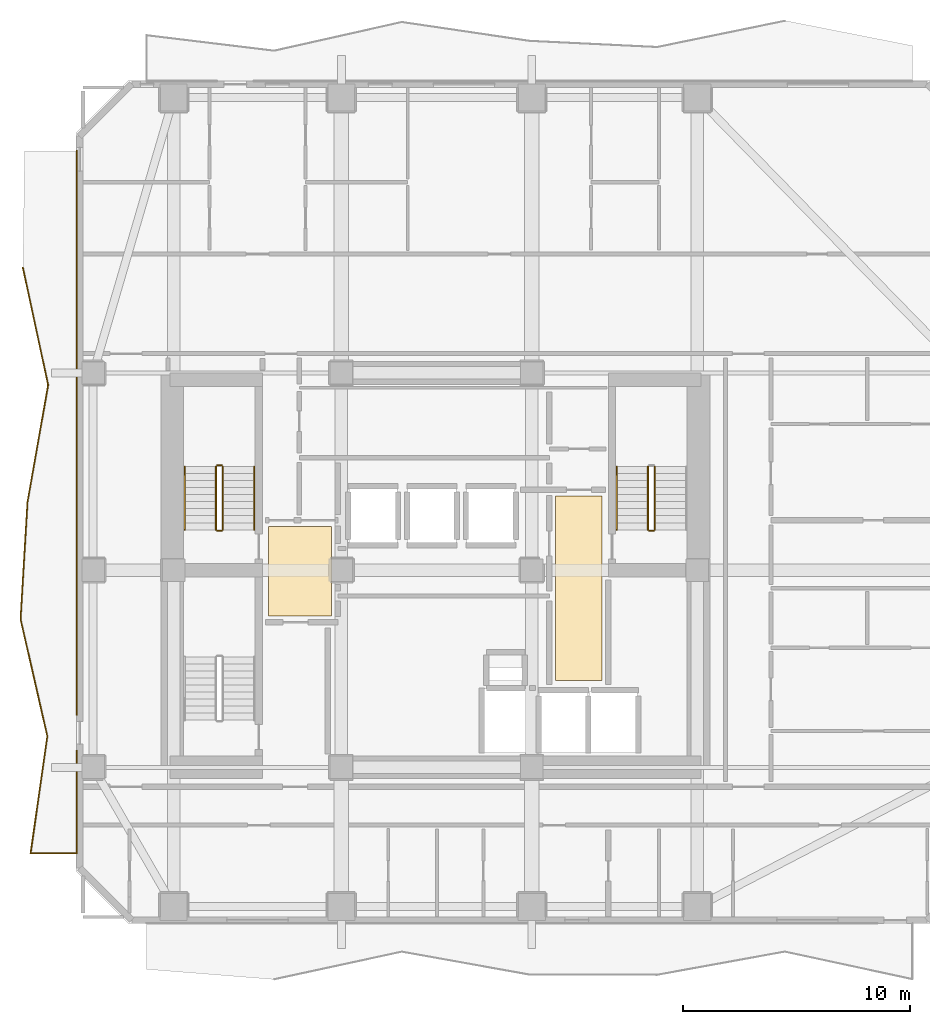
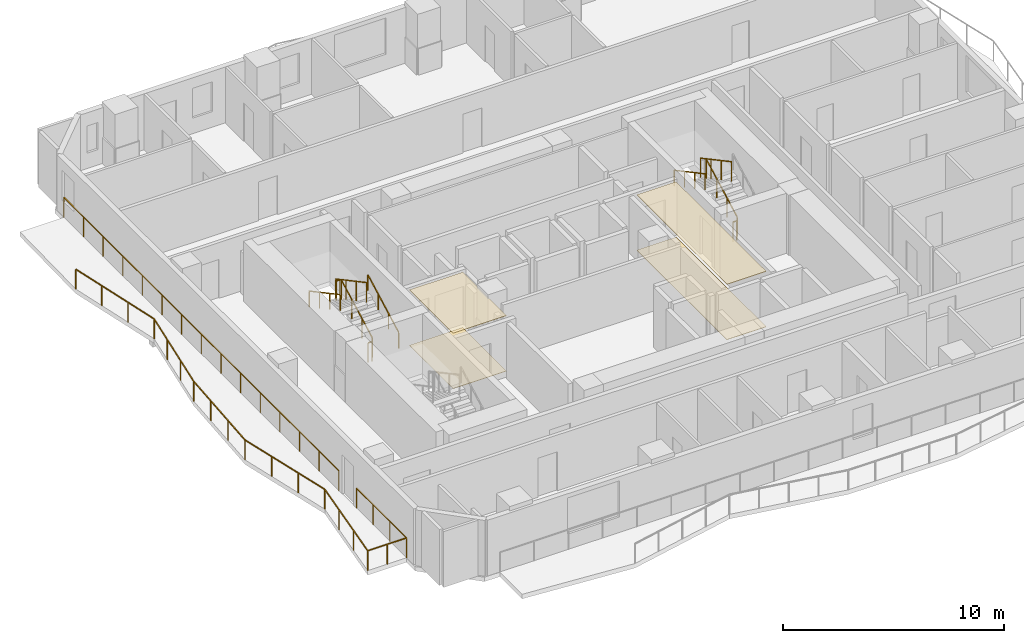
# One storey, part 9 of 11: 12 railings, 4 coverings.
"""IFC4 building model written with IfcOpenShell, lengths in metres."""

from ifc_helpers import new_model, si_unit, direction, frame, origin, origin_2d, place, context, subcontext, project, spatial, polyline, rectangle, outline, extrude, material, layer, layer_set, type_object, element, save


model = new_model("IFC4")

# Units and contexts
model_context = context("Model", 3, precision=1e-05, world=origin(), true_north=direction((0.0, 1.0)))
body_context = subcontext(model_context, "Body", "Model", "MODEL_VIEW")
ifc_project = project(units=[si_unit("LENGTHUNIT", "METRE"), si_unit("AREAUNIT", "SQUARE_METRE"), si_unit("VOLUMEUNIT", "CUBIC_METRE"), si_unit("PLANEANGLEUNIT", "RADIAN"), si_unit("MASSUNIT", "GRAM", prefix="KILO")], contexts=[model_context])

# Site, building, storey
site_placement = place(None, origin())
site = spatial("IfcSite", under=ifc_project, at=site_placement, CompositionType="ELEMENT")
building_placement = place(site_placement, origin())
building = spatial("IfcBuilding", under=site, at=building_placement, Name="Solanera Arch Residences", CompositionType="ELEMENT")
storey_placement = place(building_placement, frame((0.0, 0.0, 149.239990234375)))
storey = spatial("IfcBuildingStorey", under=building, at=storey_placement, Name="L43", CompositionType="ELEMENT", Elevation=149.239990234375)

# Railings
ifc_material_1 = material(Name="Steel S355 (ASTM A992 / A572 Grade 50)", Category="steel")
railing_type_1 = type_object("IfcRailingType", Name="Balustrade Railing BL-1100", PredefinedType="BALUSTRADE", material=ifc_material_1)
railing_1_placement = place(storey_placement, frame((6.75, 44.032958984375, 0.0)))
element("IfcRailing", 1, at=railing_1_placement, inside=storey, type_object=railing_type_1, Name="L43 W Balcony Balustrade 1", PredefinedType="BALUSTRADE", context=body_context, shape_type="SweptSolid", body=[
    extrude(rectangle(XDim=0.048095703125, YDim=0.048095703125, at=origin_2d()), frame((0.0, 0.0, 1.09619140625), z_axis=(0.210267366745, -0.977643920087, 0.0), x_axis=(0.977643920087, 0.210267366745, 0.0)), (0.0, 0.0, 1.0), 5.2841796875),
    extrude(rectangle(XDim=0.048095703125, YDim=0.048095703125, at=origin_2d()), frame((1.111083984375, -5.166015625, 1.09619140625), z_axis=(-0.173838422291, -0.984774188804, 0.0), x_axis=(0.984774188804, -0.173838422291, 0.0)), (0.0, 0.0, 1.0), 5.246826171875),
    extrude(rectangle(XDim=0.048095703125, YDim=0.048095703125, at=origin_2d()), frame((0.198974609375, -10.3330078125, 1.09619140625), z_axis=(-0.058724787001, -0.998274210521, 0.0), x_axis=(0.998274210521, -0.058724787001, 0.0)), (0.0, 0.0, 1.0), 5.176025390625),
    extrude(rectangle(XDim=0.048095703125, YDim=0.048095703125, at=origin_2d()), frame((-0.10498046875, -15.5, 1.09619140625), z_axis=(0.222843565676, -0.974854217428, 0.0), x_axis=(0.974854217428, 0.222843565676, 0.0)), (0.0, 0.0, 1.0), 5.29931640625),
    extrude(rectangle(XDim=0.048095703125, YDim=0.048095703125, at=origin_2d()), frame((1.075927734375, -20.666015625, 1.09619140625), z_axis=(-0.141768401833, -0.989899853643, 0.0), x_axis=(0.989899853643, -0.141768401833, 0.0)), (0.0, 0.0, 1.0), 5.2197265625),
    extrude(rectangle(XDim=0.048095703125, YDim=0.048095703125, at=origin_2d()), frame((0.3359375, -25.8330078125, 1.09619140625), z_axis=(1.0, 0.0, 0.0), x_axis=(0.0, 1.0, 0.0)), (0.0, 0.0, 1.0), 2.0341796875),
    extrude(rectangle(XDim=0.048095703125, YDim=0.048095703125, at=origin_2d()), frame((2.3701171875, -25.8330078125, 1.09619140625), z_axis=(0.0, 1.0, 0.0), x_axis=(-1.0, 0.0, 0.0)), (0.0, 0.0, 1.0), 4.52197265625),
    extrude(rectangle(XDim=0.0419921875, YDim=0.0419921875, at=origin_2d()), origin(), (0.0, 0.0, 1.0), 1.072021484375),
    extrude(rectangle(XDim=0.0419921875, YDim=0.0419921875, at=origin_2d()), frame((0.370361328125, -1.721923828125, 0.0)), (0.0, 0.0, 1.0), 1.072021484375),
    extrude(rectangle(XDim=0.0419921875, YDim=0.0419921875, at=origin_2d()), frame((0.74072265625, -3.444091796875, 0.0)), (0.0, 0.0, 1.0), 1.072021484375),
    extrude(rectangle(XDim=0.0419921875, YDim=0.0419921875, at=origin_2d()), frame((1.111083984375, -5.166015625, 0.0)), (0.0, 0.0, 1.0), 1.072021484375),
    extrude(rectangle(XDim=0.0419921875, YDim=0.0419921875, at=origin_2d()), frame((0.80712890625, -6.888427734375, 0.0)), (0.0, 0.0, 1.0), 1.072021484375),
    extrude(rectangle(XDim=0.0419921875, YDim=0.0419921875, at=origin_2d()), frame((0.5029296875, -8.610595703125, 0.0)), (0.0, 0.0, 1.0), 1.072021484375),
    extrude(rectangle(XDim=0.0419921875, YDim=0.0419921875, at=origin_2d()), frame((0.198974609375, -10.3330078125, 0.0)), (0.0, 0.0, 1.0), 1.072021484375),
    extrude(rectangle(XDim=0.0419921875, YDim=0.0419921875, at=origin_2d()), frame((0.09765625, -12.055419921875, 0.0)), (0.0, 0.0, 1.0), 1.072021484375),
    extrude(rectangle(XDim=0.0419921875, YDim=0.0419921875, at=origin_2d()), frame((-0.003662109375, -13.777587890625, 0.0)), (0.0, 0.0, 1.0), 1.072021484375),
    extrude(rectangle(XDim=0.0419921875, YDim=0.0419921875, at=origin_2d()), frame((-0.10498046875, -15.5, 0.0)), (0.0, 0.0, 1.0), 1.072021484375),
    extrude(rectangle(XDim=0.0419921875, YDim=0.0419921875, at=origin_2d()), frame((0.28857421875, -17.221923828125, 0.0)), (0.0, 0.0, 1.0), 1.072021484375),
    extrude(rectangle(XDim=0.0419921875, YDim=0.0419921875, at=origin_2d()), frame((0.682373046875, -18.944091796875, 0.0)), (0.0, 0.0, 1.0), 1.072021484375),
    extrude(rectangle(XDim=0.0419921875, YDim=0.0419921875, at=origin_2d()), frame((1.075927734375, -20.666015625, 0.0)), (0.0, 0.0, 1.0), 1.072021484375),
    extrude(rectangle(XDim=0.0419921875, YDim=0.0419921875, at=origin_2d()), frame((0.829345703125, -22.388427734375, 0.0)), (0.0, 0.0, 1.0), 1.072021484375),
    extrude(rectangle(XDim=0.0419921875, YDim=0.0419921875, at=origin_2d()), frame((0.58251953125, -24.110595703125, 0.0)), (0.0, 0.0, 1.0), 1.072021484375),
    extrude(rectangle(XDim=0.0419921875, YDim=0.0419921875, at=origin_2d()), frame((0.3359375, -25.8330078125, 0.0)), (0.0, 0.0, 1.0), 1.072021484375),
    extrude(rectangle(XDim=0.0419921875, YDim=0.0419921875, at=origin_2d()), frame((1.35302734375, -25.8330078125, 0.0)), (0.0, 0.0, 1.0), 1.072021484375),
    extrude(rectangle(XDim=0.0419921875, YDim=0.0419921875, at=origin_2d()), frame((2.3701171875, -25.8330078125, 0.0)), (0.0, 0.0, 1.0), 1.072021484375),
    extrude(rectangle(XDim=0.0419921875, YDim=0.0419921875, at=origin_2d()), frame((2.3701171875, -24.32568359375, 0.0)), (0.0, 0.0, 1.0), 1.072021484375),
    extrude(rectangle(XDim=0.0419921875, YDim=0.0419921875, at=origin_2d()), frame((2.3701171875, -22.818359375, 0.0)), (0.0, 0.0, 1.0), 1.072021484375),
    extrude(rectangle(XDim=0.0419921875, YDim=0.0419921875, at=origin_2d()), frame((2.3701171875, -21.31103515625, 0.0)), (0.0, 0.0, 1.0), 1.072021484375),
])
railing_2_placement = place(storey_placement, frame((9.1201171875, 24.322021484375, 0.0)))
element("IfcRailing", 2, at=railing_2_placement, inside=storey, type_object=railing_type_1, Name="L43 W Balcony Balustrade 2", PredefinedType="BALUSTRADE", context=body_context, shape_type="SweptSolid", body=[
    extrude(rectangle(XDim=0.048095703125, YDim=0.048095703125, at=origin_2d()), frame((0.0, 0.0, 1.09619140625), z_axis=(0.0, 1.0, 0.0), x_axis=(-1.0, 0.0, 0.0)), (0.0, 0.0, 1.0), 24.8779296875),
    extrude(rectangle(XDim=0.0419921875, YDim=0.0419921875, at=origin_2d()), origin(), (0.0, 0.0, 1.0), 1.072021484375),
    extrude(rectangle(XDim=0.0419921875, YDim=0.0419921875, at=origin_2d()), frame((0.0, 1.777099609375, 0.0)), (0.0, 0.0, 1.0), 1.072021484375),
    extrude(rectangle(XDim=0.0419921875, YDim=0.0419921875, at=origin_2d()), frame((0.0, 3.553955078125, 0.0)), (0.0, 0.0, 1.0), 1.072021484375),
    extrude(rectangle(XDim=0.0419921875, YDim=0.0419921875, at=origin_2d()), frame((0.0, 5.3310546875, 0.0)), (0.0, 0.0, 1.0), 1.072021484375),
    extrude(rectangle(XDim=0.0419921875, YDim=0.0419921875, at=origin_2d()), frame((0.0, 7.10791015625, 0.0)), (0.0, 0.0, 1.0), 1.072021484375),
    extrude(rectangle(XDim=0.0419921875, YDim=0.0419921875, at=origin_2d()), frame((0.0, 8.885009765625, 0.0)), (0.0, 0.0, 1.0), 1.072021484375),
    extrude(rectangle(XDim=0.0419921875, YDim=0.0419921875, at=origin_2d()), frame((0.0, 10.661865234375, 0.0)), (0.0, 0.0, 1.0), 1.072021484375),
    extrude(rectangle(XDim=0.0419921875, YDim=0.0419921875, at=origin_2d()), frame((0.0, 12.43896484375, 0.0)), (0.0, 0.0, 1.0), 1.072021484375),
    extrude(rectangle(XDim=0.0419921875, YDim=0.0419921875, at=origin_2d()), frame((0.0, 14.216064453125, 0.0)), (0.0, 0.0, 1.0), 1.072021484375),
    extrude(rectangle(XDim=0.0419921875, YDim=0.0419921875, at=origin_2d()), frame((0.0, 15.992919921875, 0.0)), (0.0, 0.0, 1.0), 1.072021484375),
    extrude(rectangle(XDim=0.0419921875, YDim=0.0419921875, at=origin_2d()), frame((0.0, 17.77001953125, 0.0)), (0.0, 0.0, 1.0), 1.072021484375),
    extrude(rectangle(XDim=0.0419921875, YDim=0.0419921875, at=origin_2d()), frame((0.0, 19.546875, 0.0)), (0.0, 0.0, 1.0), 1.072021484375),
    extrude(rectangle(XDim=0.0419921875, YDim=0.0419921875, at=origin_2d()), frame((0.0, 21.323974609375, 0.0)), (0.0, 0.0, 1.0), 1.072021484375),
    extrude(rectangle(XDim=0.0419921875, YDim=0.0419921875, at=origin_2d()), frame((0.0, 23.100830078125, 0.0)), (0.0, 0.0, 1.0), 1.072021484375),
    extrude(rectangle(XDim=0.0419921875, YDim=0.0419921875, at=origin_2d()), frame((0.0, 24.8779296875, 0.0)), (0.0, 0.0, 1.0), 1.072021484375),
])

# Coverings
ifc_material_2 = material(Name="Porcelain Acoustic Floor Tile", Category="ceramic")
ifc_layer_1 = layer(ifc_material_2, 0.02001953125)
ifc_layer_set_1 = layer_set([ifc_layer_1], Name="Porcelain Acoustic Floor Tile")
covering_type_1 = type_object("IfcCoveringType", Name="Porcelain Acoustic Floor Finish FLR-20", PredefinedType="FLOORING", material=ifc_layer_set_1)
covering_1_placement = place(storey_placement, origin())
element("IfcCovering", 3, at=covering_1_placement, inside=storey, type_object=covering_type_1, Name="L43-FFL-W Porcelain Floor Finish", PredefinedType="FLOORING", context=body_context, shape_type="SweptSolid", body=[
    extrude(outline(polyline([(20.375, 28.675048828125), (17.594970703125, 28.675048828125), (17.594970703125, 32.625), (20.375, 32.625), (20.375, 28.675048828125)])), origin(), (0.0, 0.0, 1.0), 0.02001953125),
])
covering_2_placement = place(storey_placement, origin())
element("IfcCovering", 4, at=covering_2_placement, inside=storey, type_object=covering_type_1, Name="L43-FFL-E Porcelain Floor Finish", PredefinedType="FLOORING", context=body_context, shape_type="SweptSolid", body=[
    extrude(outline(polyline([(32.304931640625, 25.824951171875), (30.25, 25.824951171875), (30.25, 33.97509765625), (32.304931640625, 33.97509765625), (32.304931640625, 25.824951171875)])), origin(), (0.0, 0.0, 1.0), 0.02001953125),
])

# Railings
ifc_material_3 = material(Name="Steel S355 (ASTM A992 / A572 Grade 50)", Category="steel")
railing_type_2 = type_object("IfcRailingType", Name="Stair Guardrail GR-1100", PredefinedType="GUARDRAIL", material=ifc_material_3)
railing_3_placement = place(storey_placement, frame((15.570068359375, 32.47998046875, 0.151123046875)))
element("IfcRailing", 5, at=railing_3_placement, inside=storey, type_object=railing_type_2, Name="L43 ST-T1 stair guard 1", PredefinedType="GUARDRAIL", context=body_context, shape_type="SweptSolid", body=[
    extrude(rectangle(XDim=0.048095703125, YDim=0.048095703125, at=origin_2d()), frame((0.0, 0.0, 1.076171875), z_axis=(0.0, 0.881580869306, 0.472033018838), x_axis=(-1.0, 0.0, 0.0)), (0.0, 0.0, 1.0), 3.164794921875),
    extrude(rectangle(XDim=0.0419921875, YDim=0.0419921875, at=origin_2d()), origin(), (0.0, 0.0, 1.0), 1.052001953125),
    extrude(rectangle(XDim=0.0419921875, YDim=0.0419921875, at=origin_2d()), frame((0.0, 0.929931640625, 0.498046875)), (0.0, 0.0, 1.0), 1.052001953125),
    extrude(rectangle(XDim=0.0419921875, YDim=0.0419921875, at=origin_2d()), frame((0.0, 1.860107421875, 0.995849609375)), (0.0, 0.0, 1.0), 1.052001953125),
    extrude(rectangle(XDim=0.0419921875, YDim=0.0419921875, at=origin_2d()), frame((0.0, 2.7900390625, 1.493896484375)), (0.0, 0.0, 1.0), 1.052001953125),
])
railing_4_placement = place(storey_placement, frame((15.52001953125, 35.320068359375, 1.64501953125)))
element("IfcRailing", 6, at=railing_4_placement, inside=storey, type_object=railing_type_2, Name="L43 ST-T1 stair guard 2", PredefinedType="GUARDRAIL", context=body_context, shape_type="SweptSolid", body=[
    extrude(rectangle(XDim=0.048095703125, YDim=0.048095703125, at=origin_2d()), frame((0.0, 0.0, 1.076171875), z_axis=(-1.0, 0.0, 0.0), x_axis=(0.0, -1.0, 0.0)), (0.0, 0.0, 1.0), 0.199951171875),
    extrude(rectangle(XDim=0.0419921875, YDim=0.0419921875, at=origin_2d()), origin(), (0.0, 0.0, 1.0), 1.052001953125),
    extrude(rectangle(XDim=0.0419921875, YDim=0.0419921875, at=origin_2d()), frame((-0.199951171875, 0.0, 0.0)), (0.0, 0.0, 1.0), 1.052001953125),
])
railing_5_placement = place(storey_placement, frame((15.27001953125, 35.27001953125, 1.81103515625)))
element("IfcRailing", 7, at=railing_5_placement, inside=storey, type_object=railing_type_2, Name="L43 ST-T1 stair guard 3", PredefinedType="GUARDRAIL", context=body_context, shape_type="SweptSolid", body=[
    extrude(rectangle(XDim=0.048095703125, YDim=0.048095703125, at=origin_2d()), frame((0.0, 0.0, 1.076171875), z_axis=(0.0, -0.881580869306, 0.472033018838), x_axis=(1.0, 0.0, 0.0)), (0.0, 0.0, 1.0), 3.164794921875),
    extrude(rectangle(XDim=0.0419921875, YDim=0.0419921875, at=origin_2d()), origin(), (0.0, 0.0, 1.0), 1.052001953125),
    extrude(rectangle(XDim=0.0419921875, YDim=0.0419921875, at=origin_2d()), frame((0.0, -0.929931640625, 0.498046875)), (0.0, 0.0, 1.0), 1.052001953125),
    extrude(rectangle(XDim=0.0419921875, YDim=0.0419921875, at=origin_2d()), frame((0.0, -1.860107421875, 0.995849609375)), (0.0, 0.0, 1.0), 1.052001953125),
    extrude(rectangle(XDim=0.0419921875, YDim=0.0419921875, at=origin_2d()), frame((0.0, -2.7900390625, 1.493896484375)), (0.0, 0.0, 1.0), 1.052001953125),
])
railing_6_placement = place(storey_placement, frame((15.52001953125, 32.429931640625, -0.014892578125)))
element("IfcRailing", 8, at=railing_6_placement, inside=storey, type_object=railing_type_2, Name="L43 ST-T1 stair guard 4", PredefinedType="GUARDRAIL", context=body_context, shape_type="SweptSolid", body=[
    extrude(rectangle(XDim=0.048095703125, YDim=0.048095703125, at=origin_2d()), frame((0.0, 0.0, 1.076171875), z_axis=(-1.0, 0.0, 0.0), x_axis=(0.0, -1.0, 0.0)), (0.0, 0.0, 1.0), 0.199951171875),
    extrude(rectangle(XDim=0.0419921875, YDim=0.0419921875, at=origin_2d()), origin(), (0.0, 0.0, 1.0), 1.052001953125),
    extrude(rectangle(XDim=0.0419921875, YDim=0.0419921875, at=origin_2d()), frame((-0.199951171875, 0.0, 0.0)), (0.0, 0.0, 1.0), 1.052001953125),
])
railing_7_placement = place(storey_placement, frame((34.6298828125, 32.47998046875, 0.151123046875)))
element("IfcRailing", 9, at=railing_7_placement, inside=storey, type_object=railing_type_2, Name="L43 ST-T2 stair guard 1", PredefinedType="GUARDRAIL", context=body_context, shape_type="SweptSolid", body=[
    extrude(rectangle(XDim=0.048095703125, YDim=0.048095703125, at=origin_2d()), frame((0.0, 0.0, 1.076171875), z_axis=(0.0, 0.881580869306, 0.472033018838), x_axis=(-1.0, 0.0, 0.0)), (0.0, 0.0, 1.0), 3.164794921875),
    extrude(rectangle(XDim=0.0419921875, YDim=0.0419921875, at=origin_2d()), origin(), (0.0, 0.0, 1.0), 1.052001953125),
    extrude(rectangle(XDim=0.0419921875, YDim=0.0419921875, at=origin_2d()), frame((0.0, 0.929931640625, 0.498046875)), (0.0, 0.0, 1.0), 1.052001953125),
    extrude(rectangle(XDim=0.0419921875, YDim=0.0419921875, at=origin_2d()), frame((0.0, 1.860107421875, 0.995849609375)), (0.0, 0.0, 1.0), 1.052001953125),
    extrude(rectangle(XDim=0.0419921875, YDim=0.0419921875, at=origin_2d()), frame((0.0, 2.7900390625, 1.493896484375)), (0.0, 0.0, 1.0), 1.052001953125),
])
railing_8_placement = place(storey_placement, frame((34.330078125, 35.27001953125, 1.81103515625)))
element("IfcRailing", 10, at=railing_8_placement, inside=storey, type_object=railing_type_2, Name="L43 ST-T2 stair guard 3", PredefinedType="GUARDRAIL", context=body_context, shape_type="SweptSolid", body=[
    extrude(rectangle(XDim=0.048095703125, YDim=0.048095703125, at=origin_2d()), frame((0.0, 0.0, 1.076171875), z_axis=(0.0, -0.881580869306, 0.472033018838), x_axis=(1.0, 0.0, 0.0)), (0.0, 0.0, 1.0), 3.164794921875),
    extrude(rectangle(XDim=0.0419921875, YDim=0.0419921875, at=origin_2d()), origin(), (0.0, 0.0, 1.0), 1.052001953125),
    extrude(rectangle(XDim=0.0419921875, YDim=0.0419921875, at=origin_2d()), frame((0.0, -0.929931640625, 0.498046875)), (0.0, 0.0, 1.0), 1.052001953125),
    extrude(rectangle(XDim=0.0419921875, YDim=0.0419921875, at=origin_2d()), frame((0.0, -1.860107421875, 0.995849609375)), (0.0, 0.0, 1.0), 1.052001953125),
    extrude(rectangle(XDim=0.0419921875, YDim=0.0419921875, at=origin_2d()), frame((0.0, -2.7900390625, 1.493896484375)), (0.0, 0.0, 1.0), 1.052001953125),
])
railing_9_placement = place(storey_placement, frame((34.580078125, 32.429931640625, -0.014892578125)))
element("IfcRailing", 11, at=railing_9_placement, inside=storey, type_object=railing_type_2, Name="L43 ST-T2 stair guard 4", PredefinedType="GUARDRAIL", context=body_context, shape_type="SweptSolid", body=[
    extrude(rectangle(XDim=0.048095703125, YDim=0.048095703125, at=origin_2d()), frame((0.0, 0.0, 1.076171875), z_axis=(-1.0, 0.0, 0.0), x_axis=(0.0, -1.0, 0.0)), (0.0, 0.0, 1.0), 0.2001953125),
    extrude(rectangle(XDim=0.0419921875, YDim=0.0419921875, at=origin_2d()), origin(), (0.0, 0.0, 1.0), 1.052001953125),
    extrude(rectangle(XDim=0.0419921875, YDim=0.0419921875, at=origin_2d()), frame((-0.2001953125, 0.0, 0.0)), (0.0, 0.0, 1.0), 1.052001953125),
])
ifc_material_4 = material(Name="Steel S355 (ASTM A992 / A572 Grade 50)", Category="steel")
railing_type_3 = type_object("IfcRailingType", Name="Stair Wall Handrail HR-920", PredefinedType="HANDRAIL", material=ifc_material_4)
railing_10_placement = place(storey_placement, frame((16.949951171875, 32.47998046875, 0.166015625)))
element("IfcRailing", 12, at=railing_10_placement, inside=storey, type_object=railing_type_3, Name="L43 ST-T1 stair handrail 1", PredefinedType="HANDRAIL", context=body_context, shape_type="SweptSolid", body=[
    extrude(rectangle(XDim=0.048095703125, YDim=0.048095703125, at=origin_2d()), frame((0.0, 0.0, 0.8759765625), z_axis=(0.0, 0.881580869306, 0.472033018838), x_axis=(-1.0, 0.0, 0.0)), (0.0, 0.0, 1.0), 3.164794921875),
    extrude(rectangle(XDim=0.0419921875, YDim=0.0419921875, at=origin_2d()), origin(), (0.0, 0.0, 1.0), 0.851806640625),
    extrude(rectangle(XDim=0.0419921875, YDim=0.0419921875, at=origin_2d()), frame((0.0, 0.929931640625, 0.498046875)), (0.0, 0.0, 1.0), 0.851806640625),
    extrude(rectangle(XDim=0.0419921875, YDim=0.0419921875, at=origin_2d()), frame((0.0, 1.860107421875, 0.995849609375)), (0.0, 0.0, 1.0), 0.851806640625),
    extrude(rectangle(XDim=0.0419921875, YDim=0.0419921875, at=origin_2d()), frame((0.0, 2.7900390625, 1.493896484375)), (0.0, 0.0, 1.0), 0.851806640625),
])
for number, where, name in (
    (13, (13.889892578125, 35.27001953125, 1.825927734375), "L43 ST-T1 stair handrail 2"),
    (14, (32.949951171875, 35.27001953125, 1.825927734375), "L43 ST-T2 stair handrail 2"),
):
    element("IfcRailing", number, at=place(storey_placement, frame(where)), inside=storey, type_object=railing_type_3, Name=name, PredefinedType="HANDRAIL", context=body_context, shape_type="SweptSolid", body=[
        extrude(rectangle(XDim=0.048095703125, YDim=0.048095703125, at=origin_2d()), frame((0.0, 0.0, 0.8759765625), z_axis=(0.0, -0.881548766853, 0.472092969298), x_axis=(1.0, 0.0, 0.0)), (0.0, 0.0, 1.0), 3.1650390625),
        extrude(rectangle(XDim=0.0419921875, YDim=0.0419921875, at=origin_2d()), origin(), (0.0, 0.0, 1.0), 0.851806640625),
        extrude(rectangle(XDim=0.0419921875, YDim=0.0419921875, at=origin_2d()), frame((0.0, -0.929931640625, 0.498046875)), (0.0, 0.0, 1.0), 0.851806640625),
        extrude(rectangle(XDim=0.0419921875, YDim=0.0419921875, at=origin_2d()), frame((0.0, -1.860107421875, 0.99609375)), (0.0, 0.0, 1.0), 0.851806640625),
        extrude(rectangle(XDim=0.0419921875, YDim=0.0419921875, at=origin_2d()), frame((0.0, -2.7900390625, 1.494140625)), (0.0, 0.0, 1.0), 0.851806640625),
    ])

# Coverings
ifc_material_5 = material(Name="Mineral Fibre Acoustic Ceiling Board", Category="gypsum")
ifc_layer_2 = layer(ifc_material_5, 0.02490234375)
ifc_layer_set_2 = layer_set([ifc_layer_2], Name="Mineral Fibre Acoustic Ceiling Board")
covering_type_2 = type_object("IfcCoveringType", Name="Suspended Acoustic Ceiling Board CLG-25", PredefinedType="CEILING", material=ifc_layer_set_2)
covering_3_placement = place(storey_placement, frame((0.0, 0.0, 3.054931640625)))
element("IfcCovering", 15, at=covering_3_placement, inside=storey, type_object=covering_type_2, Name="L43-FFL-W Acoustic Ceiling", PredefinedType="CEILING", context=body_context, shape_type="SweptSolid", body=[
    extrude(outline(polyline([(20.375, 28.675048828125), (17.594970703125, 28.675048828125), (17.594970703125, 32.625), (20.375, 32.625), (20.375, 28.675048828125)])), origin(), (0.0, 0.0, 1.0), 0.025146484375),
])
covering_4_placement = place(storey_placement, frame((0.0, 0.0, 3.054931640625)))
element("IfcCovering", 16, at=covering_4_placement, inside=storey, type_object=covering_type_2, Name="L43-FFL-E Acoustic Ceiling", PredefinedType="CEILING", context=body_context, shape_type="SweptSolid", body=[
    extrude(outline(polyline([(32.304931640625, 25.824951171875), (30.25, 25.824951171875), (30.25, 33.97509765625), (32.304931640625, 33.97509765625), (32.304931640625, 25.824951171875)])), origin(), (0.0, 0.0, 1.0), 0.025146484375),
])

save(model, "model.ifc")
